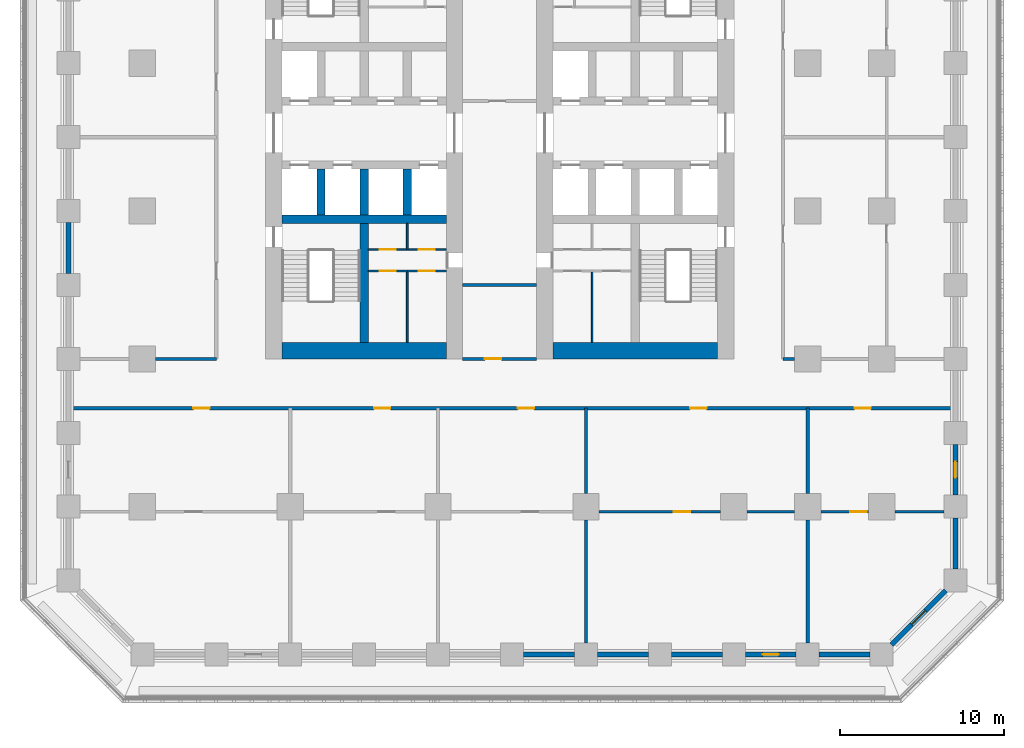
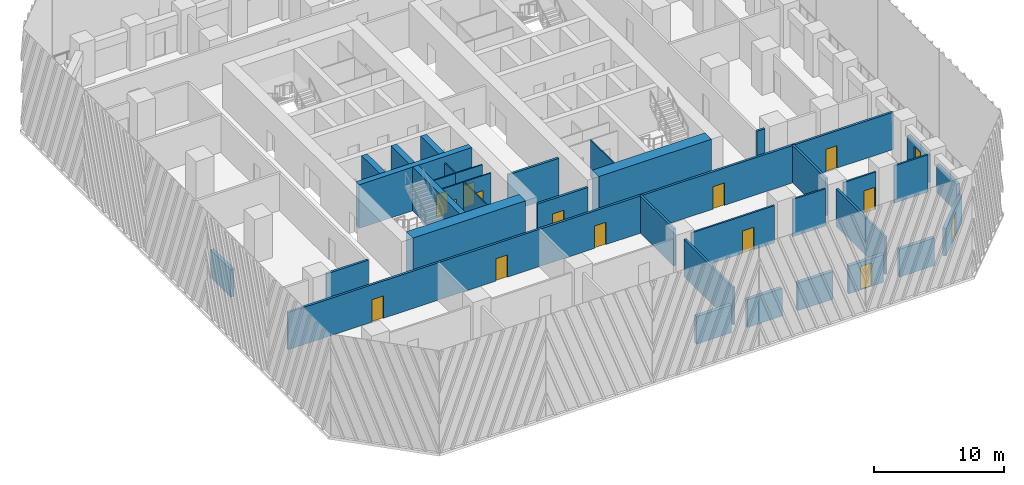
# One storey, part 3 of 13: 36 walls, 15 doors, 15 openings.
"""IFC4 building model written with IfcOpenShell, lengths in metres."""

import ifcopenshell
import ifcopenshell.guid

model = None  # the IFC model being written
_history = None  # IfcOwnerHistory: only IFC2X3 demands one
_inside = {}  # id of a spatial element -> (the spatial element, [elements in it])
_under = {}  # id of a project, library or spatial element -> (it, [spatial elements below it])
_declared = {}  # id of a project -> (the project, [libraries it declares])
_typed = {}  # id of a type object -> (the type object, [elements of that type])
_made_of = {}  # id of a material, layer set ... -> (it, [elements and type objects made of it])


def new_model(schema):
    """Start an empty IFC model of exactly this schema.

    Asked for "IFC4X3", IfcOpenShell would pick the latest addendum, in which some entities
    have other attributes; the version numbers below select the first issue.
    IFC2X3 requires an IfcOwnerHistory on every rooted entity: one is made here for all.
    """
    global model, _history
    if schema == "IFC4X3":
        model = ifcopenshell.file(schema_version=(4, 3, 0, 0))
    else:
        model = ifcopenshell.file(schema=schema)
    _inside.clear()
    _under.clear()
    _declared.clear()
    _typed.clear()
    _made_of.clear()
    _history = None
    if model.schema == "IFC2X3":
        org = make("IfcOrganization", Name="unknown")
        user = make(
            "IfcPersonAndOrganization",
            ThePerson=make("IfcPerson", FamilyName="unknown"),
            TheOrganization=org,
        )
        app = make(
            "IfcApplication",
            ApplicationDeveloper=org,
            Version="unknown",
            ApplicationFullName="unknown",
            ApplicationIdentifier="unknown",
        )
        _history = make(
            "IfcOwnerHistory",
            OwningUser=user,
            OwningApplication=app,
            ChangeAction="ADDED",
            CreationDate=0,
        )
    return model


def make(cls, **values):
    """One entity of the class cls with the attributes given. An attribute that is None is left unset."""
    return model.create_entity(
        cls, **{name: value for name, value in values.items() if value is not None}
    )


def rooted(cls, **values):
    """An entity with a GlobalId (a new one), such as an element, a storey or a relation."""
    return make(cls, GlobalId=ifcopenshell.guid.new(), OwnerHistory=_history, **values)


def si_unit(unit_type, name, prefix=None):
    """IfcSIUnit, for example si_unit("LENGTHUNIT", "METRE", prefix="MILLI")."""
    return make("IfcSIUnit", UnitType=unit_type, Prefix=prefix, Name=name)


def assignment(units):
    """IfcUnitAssignment: the units of a project."""
    return None if units is None else make("IfcUnitAssignment", Units=units)


def point(xyz):
    """IfcCartesianPoint."""
    return None if xyz is None else make("IfcCartesianPoint", Coordinates=xyz)


def direction(xyz):
    """IfcDirection."""
    return None if xyz is None else make("IfcDirection", DirectionRatios=xyz)


def frame(location, z_axis=None, x_axis=None):
    """IfcAxis2Placement3D, a coordinate frame: its origin and axes. An axis left out is left unset."""
    return make(
        "IfcAxis2Placement3D",
        Location=point(location),
        Axis=direction(z_axis),
        RefDirection=direction(x_axis),
    )


def frame_2d(location, x_axis=None):
    """IfcAxis2Placement2D, a coordinate frame in the plane: its origin and x axis."""
    return make(
        "IfcAxis2Placement2D", Location=point(location), RefDirection=direction(x_axis)
    )


def origin():
    """The frame at (0, 0, 0) with its axes left unset."""
    return frame((0.0, 0.0, 0.0))


def place(relative_to, where):
    """IfcLocalPlacement: puts the frame where relative to a parent placement (None: the world)."""
    return make(
        "IfcLocalPlacement", PlacementRelTo=relative_to, RelativePlacement=where
    )


def context(
    kind, dimensions, precision=None, world=None, true_north=None, identifier=None
):
    """IfcGeometricRepresentationContext, for example the 3D "Model" context."""
    return make(
        "IfcGeometricRepresentationContext",
        ContextIdentifier=identifier,
        ContextType=kind,
        CoordinateSpaceDimension=dimensions,
        Precision=precision,
        WorldCoordinateSystem=world,
        TrueNorth=true_north,
    )


def subcontext(parent, identifier, kind, view, scale=None):
    """IfcGeometricRepresentationSubContext, for example "Body" below "Model"."""
    return make(
        "IfcGeometricRepresentationSubContext",
        ContextIdentifier=identifier,
        ContextType=kind,
        ParentContext=parent,
        TargetScale=scale,
        TargetView=view,
    )


def project(units=None, contexts=None):
    """IfcProject with its units and contexts."""
    return rooted(
        "IfcProject",
        Name="project",
        RepresentationContexts=contexts,
        UnitsInContext=assignment(units),
    )


def spatial(cls, under=None, at=None, **own):
    """A site, building, storey or space (cls), placed at a placement, below another one or the project."""
    s = rooted(cls, ObjectPlacement=at, **own)
    if under is not None:
        _under.setdefault(under.id(), (under, []))[1].append(s)
    return s


def profile(cls, at=None, kind="AREA", **sizes):
    """A parametric profile (cls). Its sizes go by their IFC names, for example OverallWidth=200.0."""
    return make(cls, ProfileType=kind, Position=at, **sizes)


def rectangle(**sizes):
    """IfcRectangleProfileDef."""
    return profile("IfcRectangleProfileDef", **sizes)


def extrude(swept, where, along, depth):
    """IfcExtrudedAreaSolid: the profile swept, set in the frame where, extruded along a direction by depth."""
    return make(
        "IfcExtrudedAreaSolid",
        SweptArea=swept,
        Position=where,
        ExtrudedDirection=direction(along),
        Depth=depth,
    )


def shape(context_of_items, identifier, shape_type, items):
    """IfcShapeRepresentation: the items that make up one representation, for example the "Body"."""
    return make(
        "IfcShapeRepresentation",
        ContextOfItems=context_of_items,
        RepresentationIdentifier=identifier,
        RepresentationType=shape_type,
        Items=items,
    )


def material(Name=None, Category=None):
    """IfcMaterial."""
    return make("IfcMaterial", Name=Name, Category=Category)


def layer(
    of_material, thickness, ventilated=None, Name=None, Category=None, Priority=None
):
    """IfcMaterialLayer: one layer of a wall or slab, of a material (None: an air gap)."""
    return make(
        "IfcMaterialLayer",
        Material=of_material,
        LayerThickness=thickness,
        IsVentilated=ventilated,
        Name=Name,
        Category=Category,
        Priority=Priority,
    )


def layer_set(layers, Name=None):
    """IfcMaterialLayerSet."""
    return make("IfcMaterialLayerSet", MaterialLayers=layers, LayerSetName=Name)


def made_of(thing, what):
    """Note that an element or type object is made of a material, layer set ...; save() writes the relation."""
    if what is not None:
        _made_of.setdefault(what.id(), (what, []))[1].append(thing)
    return thing


def type_object(cls, material=None, **own):
    """A type object (cls), such as IfcWallType, which elements share."""
    return made_of(rooted(cls, **own), material)


def element(
    cls,
    number,
    at=None,
    inside=None,
    cuts=None,
    type_object=None,
    material=None,
    context=None,
    identifier="Body",
    shape_type=None,
    held_by="IfcProductDefinitionShape",
    body=None,
    shapes=None,
    **own,
):
    """One element of the class cls, such as IfcWall. Its Tag is "e" and its number.

    at: its placement. inside: the storey or other place that contains it. cuts: it is an
    opening in that element (IfcRelVoidsElement). A single representation is given by context,
    identifier, shape_type and body (its items); several are given by shapes. held_by: the class
    of the entity that holds the representations. save() writes the other relations.
    """
    e = rooted(cls, Tag="e%d" % number, ObjectPlacement=at, **own)
    if body is not None:
        shapes = [shape(context, identifier, shape_type, body)]
    if shapes is not None:
        e.Representation = make(held_by, Representations=shapes)
    if inside is not None:
        _inside.setdefault(inside.id(), (inside, []))[1].append(e)
    if cuts is not None:
        rooted(
            "IfcRelVoidsElement", RelatingBuildingElement=cuts, RelatedOpeningElement=e
        )
    if type_object is not None:
        _typed.setdefault(type_object.id(), (type_object, []))[1].append(e)
    return made_of(e, material)


def fill(opening, filler):
    """IfcRelFillsElement: the door or window that sits in an opening."""
    return rooted(
        "IfcRelFillsElement",
        RelatingOpeningElement=opening,
        RelatedBuildingElement=filler,
    )


def aggregate(whole, parts):
    """IfcRelAggregates: a whole, such as a stair, and the parts it consists of."""
    return rooted("IfcRelAggregates", RelatingObject=whole, RelatedObjects=parts)


def save(model, path):
    """Write the relations noted so far, then the file.

    IfcRelAggregates (storeys below a building ...), IfcRelContainedInSpatialStructure (elements
    in a storey), IfcRelDefinesByType, IfcRelAssociatesMaterial and IfcRelDeclares: one each for
    every whole, place, type object, material and project.
    """
    for whole, parts in _under.values():
        aggregate(whole, parts)
    for where, things in _inside.values():
        rooted(
            "IfcRelContainedInSpatialStructure",
            RelatedElements=things,
            RelatingStructure=where,
        )
    for kind, things in _typed.values():
        rooted("IfcRelDefinesByType", RelatedObjects=things, RelatingType=kind)
    for what, things in _made_of.values():
        rooted("IfcRelAssociatesMaterial", RelatedObjects=things, RelatingMaterial=what)
    for by, libraries in _declared.values():
        rooted("IfcRelDeclares", RelatingContext=by, RelatedDefinitions=libraries)
    model.write(path)


model = new_model("IFC4")

# Units and contexts
model_context = context("Model", 3, precision=1e-05, world=origin(), true_north=direction((0.0, 1.0)))
body_context = subcontext(model_context, "Body", "Model", "MODEL_VIEW")
ifc_project = project(units=[si_unit("LENGTHUNIT", "METRE"), si_unit("AREAUNIT", "SQUARE_METRE"), si_unit("VOLUMEUNIT", "CUBIC_METRE"), si_unit("PLANEANGLEUNIT", "RADIAN"), si_unit("MASSUNIT", "GRAM", prefix="KILO")], contexts=[model_context])

# Site, building, storey
site_placement = place(None, origin())
site = spatial("IfcSite", under=ifc_project, at=site_placement, CompositionType="ELEMENT")
building_placement = place(site_placement, origin())
building = spatial("IfcBuilding", under=site, at=building_placement, Name="Corbel Stack Research Tower", CompositionType="ELEMENT")
storey_placement = place(building_placement, frame((0.0, 0.0, 66.5)))
storey = spatial("IfcBuildingStorey", under=building, at=storey_placement, Name="L15", CompositionType="ELEMENT", Elevation=66.5)

# Walls
ifc_material_1 = material(Name="Concrete C70/85", Category="concrete")
ifc_layer_1 = layer(ifc_material_1, 1.0)
ifc_layer_set_1 = layer_set([ifc_layer_1], Name="Concrete C70/85")
wall_type_1 = type_object("IfcWallType", Name="CW-1000-70", PredefinedType="SHEAR", material=ifc_layer_set_1)
for number, where, z_axis, x_axis, name in (
    (1, (-9.5, -8.5, 0.0), (0.0, 0.0, 1.0), (1.0, 0.0, 0.0), "West core wall, south end L15"),
    (2, (7.0, -8.5, 0.0), (0.0, 0.0, 1.0), (1.0, 0.0, 0.0), "East core wall, south end L15"),
):
    element("IfcWall", number, at=place(storey_placement, frame(where, z_axis=z_axis, x_axis=x_axis)), inside=storey, type_object=wall_type_1, Name=name, PredefinedType="SHEAR", context=body_context, shape_type="SweptSolid", body=[
        extrude(rectangle(XDim=10.0, YDim=1.0, at=frame_2d((5.0, 0.0))), origin(), (0.0, 0.0, 1.0), 4.10009765625),
    ])
ifc_material_2 = material(Name="Concrete C70/85", Category="concrete")
ifc_layer_2 = layer(ifc_material_2, 0.5)
ifc_layer_set_2 = layer_set([ifc_layer_2], Name="Concrete C70/85")
wall_type_2 = type_object("IfcWallType", Name="CW-500-70", PredefinedType="SHEAR", material=ifc_layer_set_2)
wall_1_placement = place(storey_placement, frame((-9.5, -0.5, 0.0), z_axis=(0.0, 0.0, 1.0), x_axis=(1.0, 0.0, 0.0)))
element("IfcWall", 3, at=wall_1_placement, inside=storey, type_object=wall_type_2, Name="West core wall, south row back L15", PredefinedType="SHEAR", context=body_context, shape_type="SweptSolid", body=[
    extrude(rectangle(XDim=10.0, YDim=0.5, at=frame_2d((5.0, 0.0))), origin(), (0.0, 0.0, 1.0), 4.10009765625),
])
for number, where, z_axis, x_axis, name in (
    (4, (-7.125, -0.25, 0.0), (0.0, 0.0, 1.0), (0.0, 1.0, 0.0), "West core wall, south shaft 1 L15"),
    (5, (-4.5, -0.25, 0.0), (0.0, 0.0, 1.0), (0.0, 1.0, 0.0), "West core wall, south shaft 2 L15"),
    (6, (-1.875, -0.25, 0.0), (0.0, 0.0, 1.0), (0.0, 1.0, 0.0), "West core wall, south shaft 3 L15"),
):
    element("IfcWall", number, at=place(storey_placement, frame(where, z_axis=z_axis, x_axis=x_axis)), inside=storey, type_object=wall_type_2, Name=name, PredefinedType="SHEAR", context=body_context, shape_type="SweptSolid", body=[
        extrude(rectangle(XDim=2.800048828125, YDim=0.5, at=frame_2d((1.39990234375, 0.0))), origin(), (0.0, 0.0, 1.0), 4.10009765625),
    ])
wall_2_placement = place(storey_placement, frame((-4.5, -8.0, 0.0), z_axis=(0.0, 0.0, 1.0), x_axis=(0.0, 1.0, 0.0)))
element("IfcWall", 7, at=wall_2_placement, inside=storey, type_object=wall_type_2, Name="West core wall, south stair and WC L15", PredefinedType="SHEAR", context=body_context, shape_type="SweptSolid", body=[
    extrude(rectangle(XDim=7.25, YDim=0.5, at=frame_2d((3.625, 0.0))), origin(), (0.0, 0.0, 1.0), 4.10009765625),
])

# Wall, opening, door
ifc_material_3 = material(Name="Gypsum board")
ifc_layer_3 = layer(ifc_material_3, 0.10009765625)
ifc_layer_set_3 = layer_set([ifc_layer_3], Name="Gypsum board")
wall_type_3 = type_object("IfcWallType", Name="Core partition 100", PredefinedType="PARTITIONING", material=ifc_layer_set_3)
wall_3_placement = place(storey_placement, frame((-1.875, -3.64990234375, 0.0), z_axis=(0.0, 0.0, 1.0), x_axis=(1.0, 0.0, 0.0)))
wall_3 = element("IfcWall", 8, at=wall_3_placement, inside=storey, type_object=wall_type_3, Name="Core partition W", PredefinedType="PARTITIONING", context=body_context, shape_type="SweptSolid", body=[
    extrude(rectangle(XDim=2.375, YDim=0.10009765625, at=frame_2d((1.1875, 0.0))), origin(), (0.0, 0.0, 1.0), 3.5),
])
opening_1_placement = place(wall_3_placement, frame((0.6875, 0.0, 0.0)))
opening_1 = element("IfcOpeningElement", 9, at=opening_1_placement, cuts=wall_3, Name="Opening CR-W54-W2-1000", PredefinedType="OPENING", context=body_context, shape_type="SweptSolid", body=[
    extrude(rectangle(XDim=1.0, YDim=2.10009765625, at=frame_2d((0.5, 1.050048828125))), frame((0.0, 0.06005859375, 0.0), z_axis=(0.0, -1.0, 0.0), x_axis=(1.0, 0.0, 0.0)), (0.0, 0.0, 1.0), 0.1201171875),
])
ifc_material_4 = material(Name="Painted timber door", Category="wood")
door_type_1 = type_object("IfcDoorType", Name="WC door 1000 x 2100 right hand", OperationType="SINGLE_SWING_RIGHT", PredefinedType="DOOR", material=ifc_material_4)
door_1_placement = place(opening_1_placement, origin())
door_1 = element("IfcDoor", 10, at=door_1_placement, inside=storey, type_object=door_type_1, Name="Women's WC door W core", OperationType="SINGLE_SWING_RIGHT", OverallHeight=2.10009765625, OverallWidth=1.0, PredefinedType="DOOR", context=body_context, shape_type="SweptSolid", body=[
    extrude(rectangle(XDim=1.0, YDim=2.10009765625, at=frame_2d((0.5, 1.050048828125))), frame((0.0, 0.02490234375, 0.0), z_axis=(0.0, -1.0, 0.0), x_axis=(1.0, 0.0, 0.0)), (0.0, 0.0, 1.0), 0.050048828125),
])
fill(opening_1, door_1)

wall_4_placement = place(storey_placement, frame((-4.25, -3.64990234375, 0.0), z_axis=(0.0, 0.0, 1.0), x_axis=(1.0, 0.0, 0.0)))
wall_4 = element("IfcWall", 11, at=wall_4_placement, inside=storey, type_object=wall_type_3, Name="Core partition W", PredefinedType="PARTITIONING", context=body_context, shape_type="SweptSolid", body=[
    extrude(rectangle(XDim=2.375, YDim=0.10009765625, at=frame_2d((1.1875, 0.0))), origin(), (0.0, 0.0, 1.0), 3.5),
])
opening_2_placement = place(wall_4_placement, frame((0.6875, 0.0, 0.0)))
opening_2 = element("IfcOpeningElement", 12, at=opening_2_placement, cuts=wall_4, Name="Opening CR-W54-W3-1000", PredefinedType="OPENING", context=body_context, shape_type="SweptSolid", body=[
    extrude(rectangle(XDim=1.0, YDim=2.10009765625, at=frame_2d((0.5, 1.050048828125))), frame((0.0, 0.06005859375, 0.0), z_axis=(0.0, -1.0, 0.0), x_axis=(1.0, 0.0, 0.0)), (0.0, 0.0, 1.0), 0.1201171875),
])
ifc_material_5 = material(Name="Painted timber door", Category="wood")
door_type_2 = type_object("IfcDoorType", Name="WC door 1000 x 2100 left hand", OperationType="SINGLE_SWING_LEFT", PredefinedType="DOOR", material=ifc_material_5)
door_2_placement = place(opening_2_placement, origin())
door_2 = element("IfcDoor", 13, at=door_2_placement, inside=storey, type_object=door_type_2, Name="Men's WC door W core", OperationType="SINGLE_SWING_LEFT", OverallHeight=2.10009765625, OverallWidth=1.0, PredefinedType="DOOR", context=body_context, shape_type="SweptSolid", body=[
    extrude(rectangle(XDim=1.0, YDim=2.10009765625, at=frame_2d((0.5, 1.050048828125))), frame((0.0, 0.02490234375, 0.0), z_axis=(0.0, -1.0, 0.0), x_axis=(1.0, 0.0, 0.0)), (0.0, 0.0, 1.0), 0.050048828125),
])
fill(opening_2, door_2)

wall_5_placement = place(storey_placement, frame((-1.875, -2.344970703125, 0.0), z_axis=(0.0, 0.0, 1.0), x_axis=(1.0, 0.0, 0.0)))
wall_5 = element("IfcWall", 14, at=wall_5_placement, inside=storey, type_object=wall_type_3, Name="Core partition W", PredefinedType="PARTITIONING", context=body_context, shape_type="SweptSolid", body=[
    extrude(rectangle(XDim=2.375, YDim=0.10009765625, at=frame_2d((1.1875, 0.0))), origin(), (0.0, 0.0, 1.0), 3.5),
])
opening_3_placement = place(wall_5_placement, frame((0.6875, 0.0, 0.0)))
opening_3 = element("IfcOpeningElement", 15, at=opening_3_placement, cuts=wall_5, Name="Opening CR-W54-W4-1000", PredefinedType="OPENING", context=body_context, shape_type="SweptSolid", body=[
    extrude(rectangle(XDim=1.0, YDim=2.10009765625, at=frame_2d((0.5, 1.050048828125))), frame((0.0, 0.06005859375, 0.0), z_axis=(0.0, -1.0, 0.0), x_axis=(1.0, 0.0, 0.0)), (0.0, 0.0, 1.0), 0.1201171875),
])
door_3_placement = place(opening_3_placement, origin())
door_3 = element("IfcDoor", 16, at=door_3_placement, inside=storey, type_object=door_type_1, Name="Accessible WC door W core", OperationType="SINGLE_SWING_RIGHT", OverallHeight=2.10009765625, OverallWidth=1.0, PredefinedType="DOOR", context=body_context, shape_type="SweptSolid", body=[
    extrude(rectangle(XDim=1.0, YDim=2.10009765625, at=frame_2d((0.5, 1.050048828125))), frame((0.0, 0.02490234375, 0.0), z_axis=(0.0, -1.0, 0.0), x_axis=(1.0, 0.0, 0.0)), (0.0, 0.0, 1.0), 0.050048828125),
])
fill(opening_3, door_3)

wall_6_placement = place(storey_placement, frame((-4.25, -2.344970703125, 0.0), z_axis=(0.0, 0.0, 1.0), x_axis=(1.0, 0.0, 0.0)))
wall_6 = element("IfcWall", 17, at=wall_6_placement, inside=storey, type_object=wall_type_3, Name="Core partition W", PredefinedType="PARTITIONING", context=body_context, shape_type="SweptSolid", body=[
    extrude(rectangle(XDim=2.375, YDim=0.10009765625, at=frame_2d((1.1875, 0.0))), origin(), (0.0, 0.0, 1.0), 3.5),
])
opening_4_placement = place(wall_6_placement, frame((0.6875, 0.0, 0.0)))
opening_4 = element("IfcOpeningElement", 18, at=opening_4_placement, cuts=wall_6, Name="Opening CR-W54-W5-1000", PredefinedType="OPENING", context=body_context, shape_type="SweptSolid", body=[
    extrude(rectangle(XDim=1.0, YDim=2.10009765625, at=frame_2d((0.5, 1.050048828125))), frame((0.0, 0.06005859375, 0.0), z_axis=(0.0, -1.0, 0.0), x_axis=(1.0, 0.0, 0.0)), (0.0, 0.0, 1.0), 0.1201171875),
])
door_4_placement = place(opening_4_placement, origin())
door_4 = element("IfcDoor", 19, at=door_4_placement, inside=storey, type_object=door_type_2, Name="Shower and changing room door W core", OperationType="SINGLE_SWING_LEFT", OverallHeight=2.10009765625, OverallWidth=1.0, PredefinedType="DOOR", context=body_context, shape_type="SweptSolid", body=[
    extrude(rectangle(XDim=1.0, YDim=2.10009765625, at=frame_2d((0.5, 1.050048828125))), frame((0.0, 0.02490234375, 0.0), z_axis=(0.0, -1.0, 0.0), x_axis=(1.0, 0.0, 0.0)), (0.0, 0.0, 1.0), 0.050048828125),
])
fill(opening_4, door_4)

# Walls
wall_7_placement = place(storey_placement, frame((-1.875, -8.0, 0.0), z_axis=(0.0, 0.0, 1.0), x_axis=(0.0, 1.0, 0.0)))
element("IfcWall", 20, at=wall_7_placement, inside=storey, type_object=wall_type_3, Name="Core partition W", PredefinedType="PARTITIONING", context=body_context, shape_type="SweptSolid", body=[
    extrude(rectangle(XDim=4.35009765625, YDim=0.10009765625, at=frame_2d((2.175048828125, 0.0))), origin(), (0.0, 0.0, 1.0), 3.5),
])
wall_8_placement = place(storey_placement, frame((-1.875, -2.344970703125, 0.0), z_axis=(0.0, 0.0, 1.0), x_axis=(0.0, 1.0, 0.0)))
element("IfcWall", 21, at=wall_8_placement, inside=storey, type_object=wall_type_3, Name="Core partition W", PredefinedType="PARTITIONING", context=body_context, shape_type="SweptSolid", body=[
    extrude(rectangle(XDim=1.594970703125, YDim=0.10009765625, at=frame_2d((0.79736328125, 0.0))), origin(), (0.0, 0.0, 1.0), 3.5),
])
wall_9_placement = place(storey_placement, frame((9.375, -8.0, 0.0), z_axis=(0.0, 0.0, 1.0), x_axis=(0.0, 1.0, 0.0)))
element("IfcWall", 22, at=wall_9_placement, inside=storey, type_object=wall_type_3, Name="Core partition E", PredefinedType="PARTITIONING", context=body_context, shape_type="SweptSolid", body=[
    extrude(rectangle(XDim=4.35009765625, YDim=0.10009765625, at=frame_2d((2.175048828125, 0.0))), origin(), (0.0, 0.0, 1.0), 3.5),
])
ifc_material_6 = material(Name="Fire-rated gypsum board partition on steel studs", Category="steel")
ifc_layer_4 = layer(ifc_material_6, 0.199951171875)
ifc_layer_set_4 = layer_set([ifc_layer_4], Name="Fire-rated gypsum board partition on steel studs")
wall_type_4 = type_object("IfcWallType", Name="Fire-rated partition 200 EI 60", PredefinedType="PARTITIONING", material=ifc_layer_set_4)
wall_10_placement = place(storey_placement, frame((9.0, -26.300048828125, 0.0), z_axis=(0.0, 0.0, 1.0), x_axis=(0.0, 1.0, 0.0)))
element("IfcWall", 23, at=wall_10_placement, inside=storey, type_object=wall_type_4, Name="Partition L15-008", PredefinedType="PARTITIONING", context=body_context, shape_type="SweptSolid", body=[
    extrude(rectangle(XDim=7.5, YDim=0.199951171875, at=frame_2d((3.75, 0.0))), origin(), (0.0, 0.0, 1.0), 3.5),
])
wall_11_placement = place(storey_placement, frame((9.0, -17.199951171875, 0.0), z_axis=(0.0, 0.0, 1.0), x_axis=(0.0, 1.0, 0.0)))
element("IfcWall", 24, at=wall_11_placement, inside=storey, type_object=wall_type_4, Name="Partition L15-009", PredefinedType="PARTITIONING", context=body_context, shape_type="SweptSolid", body=[
    extrude(rectangle(XDim=5.199951171875, YDim=0.199951171875, at=frame_2d((2.60009765625, 0.0))), origin(), (0.0, 0.0, 1.0), 3.5),
])
wall_12_placement = place(storey_placement, frame((22.5, -26.300048828125, 0.0), z_axis=(0.0, 0.0, 1.0), x_axis=(0.0, 1.0, 0.0)))
element("IfcWall", 25, at=wall_12_placement, inside=storey, type_object=wall_type_4, Name="Partition L15-012", PredefinedType="PARTITIONING", context=body_context, shape_type="SweptSolid", body=[
    extrude(rectangle(XDim=7.5, YDim=0.199951171875, at=frame_2d((3.75, 0.0))), origin(), (0.0, 0.0, 1.0), 3.5),
])
wall_13_placement = place(storey_placement, frame((22.5, -17.199951171875, 0.0), z_axis=(0.0, 0.0, 1.0), x_axis=(0.0, 1.0, 0.0)))
element("IfcWall", 26, at=wall_13_placement, inside=storey, type_object=wall_type_4, Name="Partition L15-013", PredefinedType="PARTITIONING", context=body_context, shape_type="SweptSolid", body=[
    extrude(rectangle(XDim=5.199951171875, YDim=0.199951171875, at=frame_2d((2.60009765625, 0.0))), origin(), (0.0, 0.0, 1.0), 3.5),
])

# Wall, openings, doors
wall_14_placement = place(storey_placement, frame((31.35009765625, -12.0, 0.0), z_axis=(0.0, 0.0, 1.0), x_axis=(-1.0, 0.0, 0.0)))
wall_14 = element("IfcWall", 27, at=wall_14_placement, inside=storey, type_object=wall_type_4, Name="Partition L15-026", PredefinedType="PARTITIONING", context=body_context, shape_type="SweptSolid", body=[
    extrude(rectangle(XDim=53.7001953125, YDim=0.199951171875, at=frame_2d((26.85009765625, 0.0))), origin(), (0.0, 0.0, 1.0), 3.5),
])
opening_5_placement = place(wall_14_placement, frame((45.25, 0.0, 0.0)))
opening_5 = element("IfcOpeningElement", 28, at=opening_5_placement, cuts=wall_14, Name="Opening B2V2-008", PredefinedType="OPENING", context=body_context, shape_type="SweptSolid", body=[
    extrude(rectangle(XDim=1.0, YDim=2.10009765625, at=frame_2d((0.5, 1.050048828125))), frame((0.0, 0.10986328125, 0.0), z_axis=(0.0, -1.0, 0.0), x_axis=(1.0, 0.0, 0.0)), (0.0, 0.0, 1.0), 0.219970703125),
])
opening_6_placement = place(wall_14_placement, frame((34.25, 0.0, 0.0)))
opening_6 = element("IfcOpeningElement", 29, at=opening_6_placement, cuts=wall_14, Name="Opening B2V2-009", PredefinedType="OPENING", context=body_context, shape_type="SweptSolid", body=[
    extrude(rectangle(XDim=1.0, YDim=2.10009765625, at=frame_2d((0.5, 1.050048828125))), frame((0.0, 0.10986328125, 0.0), z_axis=(0.0, -1.0, 0.0), x_axis=(1.0, 0.0, 0.0)), (0.0, 0.0, 1.0), 0.219970703125),
])
opening_7_placement = place(wall_14_placement, frame((25.5, 0.0, 0.0)))
opening_7 = element("IfcOpeningElement", 30, at=opening_7_placement, cuts=wall_14, Name="Opening B2V2-010", PredefinedType="OPENING", context=body_context, shape_type="SweptSolid", body=[
    extrude(rectangle(XDim=1.0, YDim=2.10009765625, at=frame_2d((0.5, 1.050048828125))), frame((0.0, 0.10986328125, 0.0), z_axis=(0.0, -1.0, 0.0), x_axis=(1.0, 0.0, 0.0)), (0.0, 0.0, 1.0), 0.219970703125),
])
opening_8_placement = place(wall_14_placement, frame((15.0, 0.0, 0.0)))
opening_8 = element("IfcOpeningElement", 31, at=opening_8_placement, cuts=wall_14, Name="Opening B2V2-011", PredefinedType="OPENING", context=body_context, shape_type="SweptSolid", body=[
    extrude(rectangle(XDim=1.0, YDim=2.10009765625, at=frame_2d((0.5, 1.050048828125))), frame((0.0, 0.10986328125, 0.0), z_axis=(0.0, -1.0, 0.0), x_axis=(1.0, 0.0, 0.0)), (0.0, 0.0, 1.0), 0.219970703125),
])
opening_9_placement = place(wall_14_placement, frame((5.0, 0.0, 0.0)))
opening_9 = element("IfcOpeningElement", 32, at=opening_9_placement, cuts=wall_14, Name="Opening B2V2-012", PredefinedType="OPENING", context=body_context, shape_type="SweptSolid", body=[
    extrude(rectangle(XDim=1.0, YDim=2.10009765625, at=frame_2d((0.5, 1.050048828125))), frame((0.0, 0.10986328125, 0.0), z_axis=(0.0, -1.0, 0.0), x_axis=(1.0, 0.0, 0.0)), (0.0, 0.0, 1.0), 0.219970703125),
])
ifc_material_7 = material(Name="Painted steel fire door", Category="steel")
door_type_3 = type_object("IfcDoorType", Name="Fire door FD30S 1000 x 2100", OperationType="NOTDEFINED", PredefinedType="DOOR", material=ifc_material_7)
door_5_placement = place(opening_5_placement, origin())
door_5 = element("IfcDoor", 33, at=door_5_placement, inside=storey, type_object=door_type_3, Name="Door B2V2-008", OperationType="SINGLE_SWING_RIGHT", OverallHeight=2.10009765625, OverallWidth=1.0, PredefinedType="DOOR", context=body_context, shape_type="SweptSolid", body=[
    extrude(rectangle(XDim=1.0, YDim=2.10009765625, at=frame_2d((0.5, 1.050048828125))), frame((0.0, 0.02490234375, 0.0), z_axis=(0.0, -1.0, 0.0), x_axis=(1.0, 0.0, 0.0)), (0.0, 0.0, 1.0), 0.050048828125),
])
fill(opening_5, door_5)
door_6_placement = place(opening_6_placement, origin())
door_6 = element("IfcDoor", 34, at=door_6_placement, inside=storey, type_object=door_type_3, Name="Door B2V2-009", OperationType="SINGLE_SWING_RIGHT", OverallHeight=2.10009765625, OverallWidth=1.0, PredefinedType="DOOR", context=body_context, shape_type="SweptSolid", body=[
    extrude(rectangle(XDim=1.0, YDim=2.10009765625, at=frame_2d((0.5, 1.050048828125))), frame((0.0, 0.02490234375, 0.0), z_axis=(0.0, -1.0, 0.0), x_axis=(1.0, 0.0, 0.0)), (0.0, 0.0, 1.0), 0.050048828125),
])
fill(opening_6, door_6)
door_7_placement = place(opening_7_placement, origin())
door_7 = element("IfcDoor", 35, at=door_7_placement, inside=storey, type_object=door_type_3, Name="Door B2V2-010", OperationType="SINGLE_SWING_LEFT", OverallHeight=2.10009765625, OverallWidth=1.0, PredefinedType="DOOR", context=body_context, shape_type="SweptSolid", body=[
    extrude(rectangle(XDim=1.0, YDim=2.10009765625, at=frame_2d((0.5, 1.050048828125))), frame((0.0, 0.02490234375, 0.0), z_axis=(0.0, -1.0, 0.0), x_axis=(1.0, 0.0, 0.0)), (0.0, 0.0, 1.0), 0.050048828125),
])
fill(opening_7, door_7)
door_8_placement = place(opening_8_placement, origin())
door_8 = element("IfcDoor", 36, at=door_8_placement, inside=storey, type_object=door_type_3, Name="Door B2V2-011", OperationType="SINGLE_SWING_LEFT", OverallHeight=2.10009765625, OverallWidth=1.0, PredefinedType="DOOR", context=body_context, shape_type="SweptSolid", body=[
    extrude(rectangle(XDim=1.0, YDim=2.10009765625, at=frame_2d((0.5, 1.050048828125))), frame((0.0, 0.02490234375, 0.0), z_axis=(0.0, -1.0, 0.0), x_axis=(1.0, 0.0, 0.0)), (0.0, 0.0, 1.0), 0.050048828125),
])
fill(opening_8, door_8)
door_9_placement = place(opening_9_placement, origin())
door_9 = element("IfcDoor", 37, at=door_9_placement, inside=storey, type_object=door_type_3, Name="Door B2V2-012", OperationType="SINGLE_SWING_LEFT", OverallHeight=2.10009765625, OverallWidth=1.0, PredefinedType="DOOR", context=body_context, shape_type="SweptSolid", body=[
    extrude(rectangle(XDim=1.0, YDim=2.10009765625, at=frame_2d((0.5, 1.050048828125))), frame((0.0, 0.02490234375, 0.0), z_axis=(0.0, -1.0, 0.0), x_axis=(1.0, 0.0, 0.0)), (0.0, 0.0, 1.0), 0.050048828125),
])
fill(opening_9, door_9)

# Wall
wall_15_placement = place(storey_placement, frame((-17.199951171875, -9.0, 0.0), z_axis=(0.0, 0.0, 1.0), x_axis=(1.0, 0.0, 0.0)))
element("IfcWall", 38, at=wall_15_placement, inside=storey, type_object=wall_type_4, Name="Partition L15-028", PredefinedType="PARTITIONING", context=body_context, shape_type="SweptSolid", body=[
    extrude(rectangle(XDim=3.699951171875, YDim=0.199951171875, at=frame_2d((1.85009765625, 0.0))), origin(), (0.0, 0.0, 1.0), 3.5),
])

# Wall, opening, door
wall_16_placement = place(storey_placement, frame((1.5, -9.0, 0.0), z_axis=(0.0, 0.0, 1.0), x_axis=(1.0, 0.0, 0.0)))
wall_16 = element("IfcWall", 39, at=wall_16_placement, inside=storey, type_object=wall_type_4, Name="Partition L15-029", PredefinedType="PARTITIONING", context=body_context, shape_type="SweptSolid", body=[
    extrude(rectangle(XDim=4.5, YDim=0.199951171875, at=frame_2d((2.25, 0.0))), origin(), (0.0, 0.0, 1.0), 3.5),
])
opening_10_placement = place(wall_16_placement, frame((1.35009765625, 0.0, 0.0)))
opening_10 = element("IfcOpeningElement", 40, at=opening_10_placement, cuts=wall_16, Name="Opening B2V2-013", PredefinedType="OPENING", context=body_context, shape_type="SweptSolid", body=[
    extrude(rectangle(XDim=1.0, YDim=2.10009765625, at=frame_2d((0.5, 1.050048828125))), frame((0.0, 0.10986328125, 0.0), z_axis=(0.0, -1.0, 0.0), x_axis=(1.0, 0.0, 0.0)), (0.0, 0.0, 1.0), 0.219970703125),
])
door_10_placement = place(opening_10_placement, origin())
door_10 = element("IfcDoor", 41, at=door_10_placement, inside=storey, type_object=door_type_3, Name="Door B2V2-013", OperationType="SINGLE_SWING_LEFT", OverallHeight=2.10009765625, OverallWidth=1.0, PredefinedType="DOOR", context=body_context, shape_type="SweptSolid", body=[
    extrude(rectangle(XDim=1.0, YDim=2.10009765625, at=frame_2d((0.5, 1.050048828125))), frame((0.0, 0.02490234375, 0.0), z_axis=(0.0, -1.0, 0.0), x_axis=(1.0, 0.0, 0.0)), (0.0, 0.0, 1.0), 0.050048828125),
])
fill(opening_10, door_10)

# Walls
wall_17_placement = place(storey_placement, frame((21.0, -9.0, 0.0), z_axis=(0.0, 0.0, 1.0), x_axis=(1.0, 0.0, 0.0)))
element("IfcWall", 42, at=wall_17_placement, inside=storey, type_object=wall_type_4, Name="Partition L15-030", PredefinedType="PARTITIONING", context=body_context, shape_type="SweptSolid", body=[
    extrude(rectangle(XDim=0.699951171875, YDim=0.199951171875, at=frame_2d((0.35009765625, 0.0))), origin(), (0.0, 0.0, 1.0), 3.5),
])
wall_18_placement = place(storey_placement, frame((1.5, -4.5, 0.0), z_axis=(0.0, 0.0, 1.0), x_axis=(1.0, 0.0, 0.0)))
element("IfcWall", 43, at=wall_18_placement, inside=storey, type_object=wall_type_4, Name="Partition L15-033", PredefinedType="PARTITIONING", context=body_context, shape_type="SweptSolid", body=[
    extrude(rectangle(XDim=4.5, YDim=0.199951171875, at=frame_2d((2.25, 0.0))), origin(), (0.0, 0.0, 1.0), 3.5),
])

# Wall, opening, door
ifc_material_8 = material(Name="Gypsum board partition on steel studs", Category="steel")
ifc_layer_5 = layer(ifc_material_8, 0.14990234375)
ifc_layer_set_5 = layer_set([ifc_layer_5], Name="Gypsum board partition on steel studs")
wall_type_5 = type_object("IfcWallType", Name="Partition 150", PredefinedType="PARTITIONING", material=ifc_layer_set_5)
wall_19_placement = place(storey_placement, frame((17.199951171875, -18.300048828125, 0.0), z_axis=(0.0, 0.0, 1.0), x_axis=(-1.0, 0.0, 0.0)))
wall_19 = element("IfcWall", 44, at=wall_19_placement, inside=storey, type_object=wall_type_5, Name="Partition L15-022", PredefinedType="PARTITIONING", context=body_context, shape_type="SweptSolid", body=[
    extrude(rectangle(XDim=7.39990234375, YDim=0.14990234375, at=frame_2d((3.699951171875, 0.0))), origin(), (0.0, 0.0, 1.0), 3.5),
])
opening_11_placement = place(wall_19_placement, frame((1.85009765625, 0.0, 0.0)))
opening_11 = element("IfcOpeningElement", 45, at=opening_11_placement, cuts=wall_19, Name="Opening B2V2-004", PredefinedType="OPENING", context=body_context, shape_type="SweptSolid", body=[
    extrude(rectangle(XDim=1.0, YDim=2.10009765625, at=frame_2d((0.5, 1.050048828125))), frame((0.0, 0.0849609375, 0.0), z_axis=(0.0, -1.0, 0.0), x_axis=(1.0, 0.0, 0.0)), (0.0, 0.0, 1.0), 0.169921875),
])
ifc_material_9 = material(Name="Painted timber door", Category="wood")
door_type_4 = type_object("IfcDoorType", Name="Single door 1000 x 2100", OperationType="NOTDEFINED", PredefinedType="DOOR", material=ifc_material_9)
door_11_placement = place(opening_11_placement, origin())
door_11 = element("IfcDoor", 46, at=door_11_placement, inside=storey, type_object=door_type_4, Name="Door B2V2-004", OperationType="SINGLE_SWING_LEFT", OverallHeight=2.10009765625, OverallWidth=1.0, PredefinedType="DOOR", context=body_context, shape_type="SweptSolid", body=[
    extrude(rectangle(XDim=1.0, YDim=2.10009765625, at=frame_2d((0.5, 1.050048828125))), frame((0.0, 0.02490234375, 0.0), z_axis=(0.0, -1.0, 0.0), x_axis=(1.0, 0.0, 0.0)), (0.0, 0.0, 1.0), 0.050048828125),
])
fill(opening_11, door_11)

# Wall
wall_20_placement = place(storey_placement, frame((18.800048828125, -18.300048828125, 0.0), z_axis=(0.0, 0.0, 1.0), x_axis=(1.0, 0.0, 0.0)))
element("IfcWall", 47, at=wall_20_placement, inside=storey, type_object=wall_type_5, Name="Partition L15-023", PredefinedType="PARTITIONING", context=body_context, shape_type="SweptSolid", body=[
    extrude(rectangle(XDim=2.89990234375, YDim=0.14990234375, at=frame_2d((1.449951171875, 0.0))), origin(), (0.0, 0.0, 1.0), 3.5),
])

# Wall, opening, door
wall_21_placement = place(storey_placement, frame((26.199951171875, -18.300048828125, 0.0), z_axis=(0.0, 0.0, 1.0), x_axis=(-1.0, 0.0, 0.0)))
wall_21 = element("IfcWall", 48, at=wall_21_placement, inside=storey, type_object=wall_type_5, Name="Partition L15-024", PredefinedType="PARTITIONING", context=body_context, shape_type="SweptSolid", body=[
    extrude(rectangle(XDim=2.89990234375, YDim=0.14990234375, at=frame_2d((1.449951171875, 0.0))), origin(), (0.0, 0.0, 1.0), 3.5),
])
opening_12_placement = place(wall_21_placement, frame((0.10009765625, 0.0, 0.0)))
opening_12 = element("IfcOpeningElement", 49, at=opening_12_placement, cuts=wall_21, Name="Opening B2V2-005", PredefinedType="OPENING", context=body_context, shape_type="SweptSolid", body=[
    extrude(rectangle(XDim=1.0, YDim=2.10009765625, at=frame_2d((0.5, 1.050048828125))), frame((0.0, 0.0849609375, 0.0), z_axis=(0.0, -1.0, 0.0), x_axis=(1.0, 0.0, 0.0)), (0.0, 0.0, 1.0), 0.169921875),
])
door_12_placement = place(opening_12_placement, origin())
door_12 = element("IfcDoor", 50, at=door_12_placement, inside=storey, type_object=door_type_4, Name="Door B2V2-005", OperationType="SINGLE_SWING_LEFT", OverallHeight=2.10009765625, OverallWidth=1.0, PredefinedType="DOOR", context=body_context, shape_type="SweptSolid", body=[
    extrude(rectangle(XDim=1.0, YDim=2.10009765625, at=frame_2d((0.5, 1.050048828125))), frame((0.0, 0.02490234375, 0.0), z_axis=(0.0, -1.0, 0.0), x_axis=(1.0, 0.0, 0.0)), (0.0, 0.0, 1.0), 0.050048828125),
])
fill(opening_12, door_12)

# Walls
wall_22_placement = place(storey_placement, frame((27.800048828125, -18.300048828125, 0.0), z_axis=(0.0, 0.0, 1.0), x_axis=(1.0, 0.0, 0.0)))
element("IfcWall", 51, at=wall_22_placement, inside=storey, type_object=wall_type_5, Name="Partition L15-025", PredefinedType="PARTITIONING", context=body_context, shape_type="SweptSolid", body=[
    extrude(rectangle(XDim=3.0, YDim=0.14990234375, at=frame_2d((1.5, 0.0))), origin(), (0.0, 0.0, 1.0), 3.5),
])
ifc_material_10 = material(Name="Concrete C45/55", Category="concrete")
ifc_layer_6 = layer(ifc_material_10, 0.300048828125)
ifc_layer_set_6 = layer_set([ifc_layer_6], Name="Concrete C45/55")
wall_type_6 = type_object("IfcWallType", Name="Terracotta-faced concrete wall 300", PredefinedType="SOLIDWALL", material=ifc_layer_set_6)
for number, where, z_axis, x_axis, name in (
    (52, (8.300048828125, -27.0, 0.0), (0.0, 0.0, 1.0), (-1.0, 0.0, 0.0), "Facade wall L15 S06"),
    (53, (12.800048828125, -27.0, 0.0), (0.0, 0.0, 1.0), (-1.0, 0.0, 0.0), "Facade wall L15 S07"),
    (54, (17.300048828125, -27.0, 0.0), (0.0, 0.0, 1.0), (-1.0, 0.0, 0.0), "Facade wall L15 S08"),
):
    element("IfcWall", number, at=place(storey_placement, frame(where, z_axis=z_axis, x_axis=x_axis)), inside=storey, type_object=wall_type_6, Name=name, PredefinedType="SOLIDWALL", context=body_context, shape_type="SweptSolid", body=[
        extrude(rectangle(XDim=3.10009765625, YDim=0.300048828125, at=frame_2d((1.550048828125, 0.0))), origin(), (0.0, 0.0, 1.0), 2.60009765625),
    ])

# Wall, opening, door
wall_23_placement = place(storey_placement, frame((21.800048828125, -27.0, 0.0), z_axis=(0.0, 0.0, 1.0), x_axis=(-1.0, 0.0, 0.0)))
wall_23 = element("IfcWall", 55, at=wall_23_placement, inside=storey, type_object=wall_type_6, Name="Facade wall L15 S09", PredefinedType="SOLIDWALL", context=body_context, shape_type="SweptSolid", body=[
    extrude(rectangle(XDim=3.10009765625, YDim=0.300048828125, at=frame_2d((1.550048828125, 0.0))), origin(), (0.0, 0.0, 1.0), 2.60009765625),
])
opening_13_placement = place(wall_23_placement, frame((1.050048828125, 0.0, 0.0)))
opening_13 = element("IfcOpeningElement", 56, at=opening_13_placement, cuts=wall_23, Name="Opening L15-B02", PredefinedType="OPENING", context=body_context, shape_type="SweptSolid", body=[
    extrude(rectangle(XDim=1.0, YDim=2.199951171875, at=frame_2d((0.5, 1.10009765625))), frame((0.0, 0.159912109375, 0.0), z_axis=(0.0, -1.0, 0.0), x_axis=(1.0, 0.0, 0.0)), (0.0, 0.0, 1.0), 0.320068359375),
])
ifc_material_11 = material(Name="Aluminium frame, clear double glazing", Category="aluminium")
door_type_5 = type_object("IfcDoorType", Name="Balcony door BD1 1000 x 2200", OperationType="NOTDEFINED", PredefinedType="DOOR", material=ifc_material_11)
door_13_placement = place(opening_13_placement, origin())
door_13 = element("IfcDoor", 57, at=door_13_placement, inside=storey, type_object=door_type_5, Name="Balcony door L15-B02", OperationType="SINGLE_SWING_RIGHT", OverallHeight=2.199951171875, OverallWidth=1.0, PredefinedType="DOOR", context=body_context, shape_type="SweptSolid", body=[
    extrude(rectangle(XDim=1.0, YDim=2.199951171875, at=frame_2d((0.5, 1.10009765625))), frame((0.0, 0.02490234375, 0.0), z_axis=(0.0, -1.0, 0.0), x_axis=(1.0, 0.0, 0.0)), (0.0, 0.0, 1.0), 0.050048828125),
])
fill(opening_13, door_13)

# Wall
wall_24_placement = place(storey_placement, frame((26.300048828125, -27.0, 0.0), z_axis=(0.0, 0.0, 1.0), x_axis=(-1.0, 0.0, 0.0)))
element("IfcWall", 58, at=wall_24_placement, inside=storey, type_object=wall_type_6, Name="Facade wall L15 S10", PredefinedType="SOLIDWALL", context=body_context, shape_type="SweptSolid", body=[
    extrude(rectangle(XDim=3.10009765625, YDim=0.300048828125, at=frame_2d((1.550048828125, 0.0))), origin(), (0.0, 0.0, 1.0), 2.60009765625),
])

# Wall, opening, door
wall_25_placement = place(storey_placement, frame((30.906005859375, -23.093994140625, 0.0), z_axis=(0.0, 0.0, 1.0), x_axis=(-0.707106781187, -0.707106781187, 0.0)))
wall_25 = element("IfcWall", 59, at=wall_25_placement, inside=storey, type_object=wall_type_6, Name="Facade wall L15 SE01", PredefinedType="SOLIDWALL", context=body_context, shape_type="SweptSolid", body=[
    extrude(rectangle(XDim=4.683837890625, YDim=0.300048828125, at=frame_2d((2.341796875, 0.0))), origin(), (0.0, 0.0, 1.0), 2.60009765625),
])
opening_14_placement = place(wall_25_placement, frame((1.741943359375, 0.0, 0.0)))
opening_14 = element("IfcOpeningElement", 60, at=opening_14_placement, cuts=wall_25, Name="Opening L15-B03", PredefinedType="OPENING", context=body_context, shape_type="SweptSolid", body=[
    extrude(rectangle(XDim=1.199951171875, YDim=2.199951171875, at=frame_2d((0.60009765625, 1.10009765625))), frame((0.0, 0.159912109375, 0.0), z_axis=(0.0, -1.0, 0.0), x_axis=(1.0, 0.0, 0.0)), (0.0, 0.0, 1.0), 0.320068359375),
])
ifc_material_12 = material(Name="Aluminium frame, clear double glazing", Category="aluminium")
door_type_6 = type_object("IfcDoorType", Name="Balcony door BD2 1200 x 2200", OperationType="NOTDEFINED", PredefinedType="DOOR", material=ifc_material_12)
door_14_placement = place(opening_14_placement, origin())
door_14 = element("IfcDoor", 61, at=door_14_placement, inside=storey, type_object=door_type_6, Name="Balcony door L15-B03", OperationType="SINGLE_SWING_RIGHT", OverallHeight=2.199951171875, OverallWidth=1.199951171875, PredefinedType="DOOR", context=body_context, shape_type="SweptSolid", body=[
    extrude(rectangle(XDim=1.199951171875, YDim=2.199951171875, at=frame_2d((0.60009765625, 1.10009765625))), frame((0.0, 0.02490234375, 0.0), z_axis=(0.0, -1.0, 0.0), x_axis=(1.0, 0.0, 0.0)), (0.0, 0.0, 1.0), 0.050048828125),
])
fill(opening_14, door_14)

# Wall
wall_26_placement = place(storey_placement, frame((31.5, -18.699951171875, 0.0), z_axis=(0.0, 0.0, 1.0), x_axis=(0.0, -1.0, 0.0)))
element("IfcWall", 62, at=wall_26_placement, inside=storey, type_object=wall_type_6, Name="Facade wall L15 E01", PredefinedType="SOLIDWALL", context=body_context, shape_type="SweptSolid", body=[
    extrude(rectangle(XDim=3.10009765625, YDim=0.300048828125, at=frame_2d((1.550048828125, 0.0))), origin(), (0.0, 0.0, 1.0), 2.60009765625),
])

# Wall, opening, door
wall_27_placement = place(storey_placement, frame((31.5, -14.199951171875, 0.0), z_axis=(0.0, 0.0, 1.0), x_axis=(0.0, -1.0, 0.0)))
wall_27 = element("IfcWall", 63, at=wall_27_placement, inside=storey, type_object=wall_type_6, Name="Facade wall L15 E02", PredefinedType="SOLIDWALL", context=body_context, shape_type="SweptSolid", body=[
    extrude(rectangle(XDim=3.10009765625, YDim=0.300048828125, at=frame_2d((1.550048828125, 0.0))), origin(), (0.0, 0.0, 1.0), 2.60009765625),
])
opening_15_placement = place(wall_27_placement, frame((1.050048828125, 0.0, 0.0)))
opening_15 = element("IfcOpeningElement", 64, at=opening_15_placement, cuts=wall_27, Name="Opening L15-B04", PredefinedType="OPENING", context=body_context, shape_type="SweptSolid", body=[
    extrude(rectangle(XDim=1.0, YDim=2.199951171875, at=frame_2d((0.5, 1.10009765625))), frame((0.0, 0.159912109375, 0.0), z_axis=(0.0, -1.0, 0.0), x_axis=(1.0, 0.0, 0.0)), (0.0, 0.0, 1.0), 0.320068359375),
])
door_15_placement = place(opening_15_placement, origin())
door_15 = element("IfcDoor", 65, at=door_15_placement, inside=storey, type_object=door_type_5, Name="Balcony door L15-B04", OperationType="SINGLE_SWING_LEFT", OverallHeight=2.199951171875, OverallWidth=1.0, PredefinedType="DOOR", context=body_context, shape_type="SweptSolid", body=[
    extrude(rectangle(XDim=1.0, YDim=2.199951171875, at=frame_2d((0.5, 1.10009765625))), frame((0.0, 0.02490234375, 0.0), z_axis=(0.0, -1.0, 0.0), x_axis=(1.0, 0.0, 0.0)), (0.0, 0.0, 1.0), 0.050048828125),
])
fill(opening_15, door_15)

# Wall
wall_28_placement = place(storey_placement, frame((-22.5, -3.800048828125, 0.0), z_axis=(0.0, 0.0, 1.0), x_axis=(0.0, 1.0, 0.0)))
element("IfcWall", 66, at=wall_28_placement, inside=storey, type_object=wall_type_6, Name="Facade wall L15 W06", PredefinedType="SOLIDWALL", context=body_context, shape_type="SweptSolid", body=[
    extrude(rectangle(XDim=3.10009765625, YDim=0.300048828125, at=frame_2d((1.550048828125, 0.0))), origin(), (0.0, 0.0, 1.0), 2.60009765625),
])

save(model, "model.ifc")
